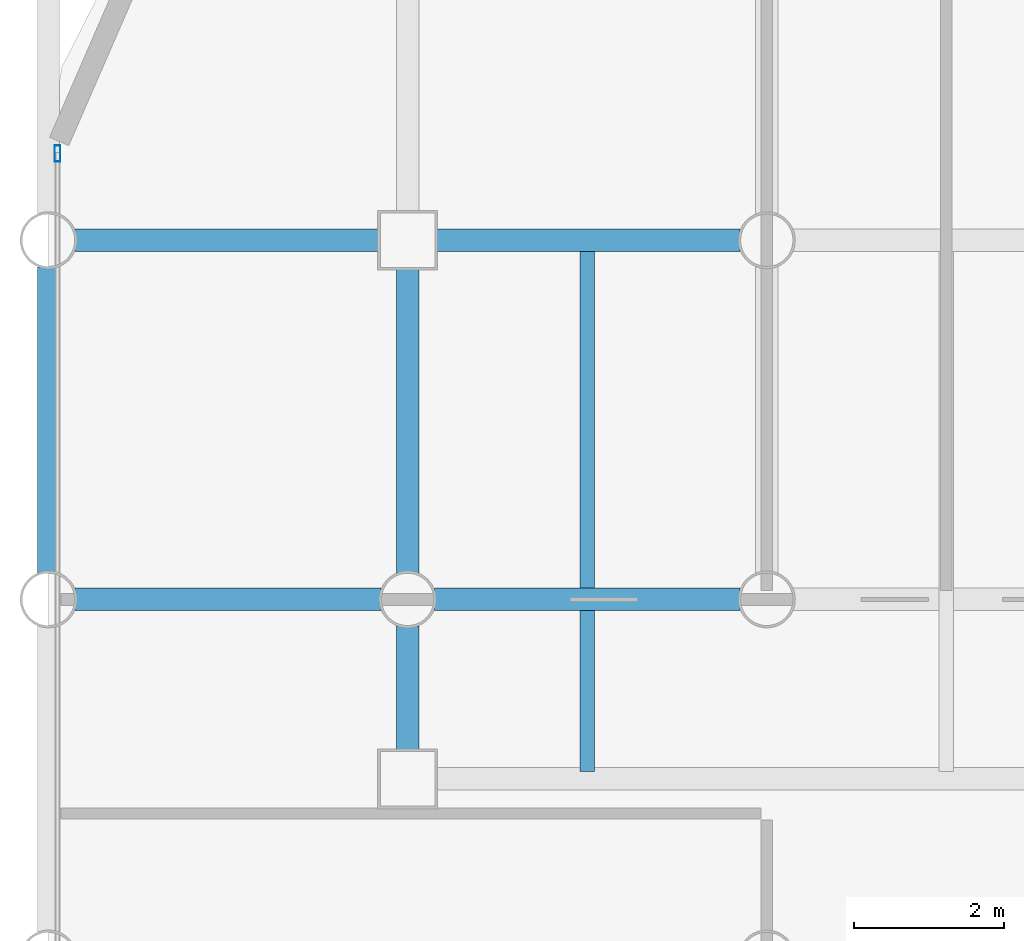
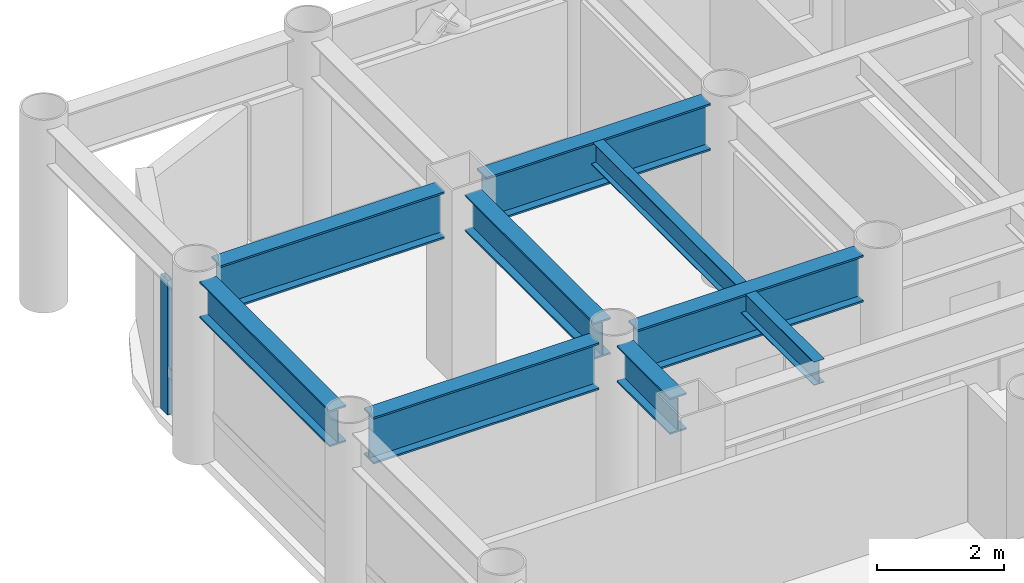
# One storey, part 9 of 19: 8 beams, 1 member, 1 element without a shape of its own.
"""IFC4 building model written with IfcOpenShell, lengths in metres."""

from ifc_helpers import new_model, si_unit, direction, frame, origin, origin_2d, place, context, subcontext, project, spatial, hollow_rectangle, i_section, extrude, material, layer, layer_set, material_profile, profile_set, type_object, element, aggregate, save


model = new_model("IFC4")

# Units and contexts
model_context = context("Model", 3, precision=1e-05, world=origin(), true_north=direction((0.0, 1.0)))
body_context = subcontext(model_context, "Body", "Model", "MODEL_VIEW")
ifc_project = project(units=[si_unit("LENGTHUNIT", "METRE"), si_unit("AREAUNIT", "SQUARE_METRE"), si_unit("VOLUMEUNIT", "CUBIC_METRE"), si_unit("PLANEANGLEUNIT", "RADIAN"), si_unit("MASSUNIT", "GRAM", prefix="KILO")], contexts=[model_context])

# Site, building, storey
site_placement = place(None, origin())
site = spatial("IfcSite", under=ifc_project, at=site_placement, CompositionType="ELEMENT")
building_placement = place(site_placement, origin())
building = spatial("IfcBuilding", under=site, at=building_placement, Name="Kallvorn Hotel Tower", CompositionType="ELEMENT")
storey_placement = place(building_placement, frame((0.0, 0.0, 63.300048828125)))
storey = spatial("IfcBuildingStorey", under=building, at=storey_placement, Name="L14", CompositionType="ELEMENT", Elevation=63.300048828125)

# Beams
ifc_material_1 = material(Name="Structural steel S355JR", Category="steel")
ifc_material_profile_1 = material_profile(ifc_material_1, i_section(OverallWidth=0.300048828125, OverallDepth=0.699951171875, WebThickness=0.01708984375, FlangeThickness=0.031982421875, at=origin_2d()), Name="HE 700 B")
ifc_profile_set_1 = profile_set([ifc_material_profile_1], Name="Structural steel S355JR")
beam_type_1 = type_object("IfcBeamType", Name="BM_HE700B", PredefinedType="BEAM", material=ifc_profile_set_1)
beam_1_placement = place(storey_placement, frame((-28.800048828125, 9.9560546875, 3.169921875), z_axis=(0.0, 1.0, 0.0), x_axis=(-1.0, 0.0, 0.0)))
element("IfcBeam", 1, at=beam_1_placement, inside=storey, type_object=beam_type_1, Name="L15 Primary Y-Girder 79", PredefinedType="BEAM", context=body_context, shape_type="SweptSolid", body=[
    extrude(i_section(OverallWidth=0.300048828125, OverallDepth=0.699951171875, WebThickness=0.01708984375, FlangeThickness=0.031982421875, at=origin_2d()), origin(), (0.0, 0.0, 1.0), 4.087890625),
])
beam_2_placement = place(storey_placement, frame((-24.0, 7.574951171875, 3.169921875), z_axis=(0.0, 1.0, 0.0), x_axis=(-1.0, 0.0, 0.0)))
element("IfcBeam", 2, at=beam_2_placement, inside=storey, type_object=beam_type_1, Name="L15 Primary Y-Girder 85", PredefinedType="BEAM", context=body_context, shape_type="SweptSolid", body=[
    extrude(i_section(OverallWidth=0.300048828125, OverallDepth=0.699951171875, WebThickness=0.01708984375, FlangeThickness=0.031982421875, at=origin_2d()), origin(), (0.0, 0.0, 1.0), 1.6689453125),
])
beam_3_placement = place(storey_placement, frame((-24.0, 9.9560546875, 3.169921875), z_axis=(0.0, 1.0, 0.0), x_axis=(-1.0, 0.0, 0.0)))
element("IfcBeam", 3, at=beam_3_placement, inside=storey, type_object=beam_type_1, Name="L15 Primary Y-Girder 86", PredefinedType="BEAM", context=body_context, shape_type="SweptSolid", body=[
    extrude(i_section(OverallWidth=0.300048828125, OverallDepth=0.699951171875, WebThickness=0.01708984375, FlangeThickness=0.031982421875, at=origin_2d()), origin(), (0.0, 0.0, 1.0), 4.06884765625),
])
ifc_material_2 = material(Name="Structural steel S355JR", Category="steel")
ifc_material_profile_2 = material_profile(ifc_material_2, i_section(OverallWidth=0.300048828125, OverallDepth=0.89990234375, WebThickness=0.0185546875, FlangeThickness=0.034912109375, at=origin_2d()), Name="HE 900 B")
ifc_profile_set_2 = profile_set([ifc_material_profile_2], Name="Structural steel S355JR")
beam_type_2 = type_object("IfcBeamType", Name="BM_HE900B", PredefinedType="BEAM", material=ifc_profile_set_2)
for number, where, z_axis, x_axis, name in (
    (4, (-28.444091796875, 9.60009765625, 3.070068359375), (1.0, 0.0, 0.0), (0.0, 1.0, 0.0), "L15 Primary X-Girder 42"),
    (5, (-23.64404296875, 9.60009765625, 3.070068359375), (1.0, 0.0, 0.0), (0.0, 1.0, 0.0), "L15 Primary X-Girder 43"),
):
    element("IfcBeam", number, at=place(storey_placement, frame(where, z_axis=z_axis, x_axis=x_axis)), inside=storey, type_object=beam_type_2, Name=name, PredefinedType="BEAM", context=body_context, shape_type="SweptSolid", body=[
        extrude(i_section(OverallWidth=0.300048828125, OverallDepth=0.89990234375, WebThickness=0.0185546875, FlangeThickness=0.034912109375, at=origin_2d()), origin(), (0.0, 0.0, 1.0), 4.088134765625),
    ])
for number, where, z_axis, x_axis, name in (
    (6, (-28.444091796875, 14.39990234375, 3.070068359375), (1.0, 0.0, 0.0), (0.0, 1.0, 0.0), "L15 Primary X-Girder 51"),
    (7, (-23.625, 14.39990234375, 3.070068359375), (1.0, 0.0, 0.0), (0.0, 1.0, 0.0), "L15 Primary X-Girder 52"),
):
    element("IfcBeam", number, at=place(storey_placement, frame(where, z_axis=z_axis, x_axis=x_axis)), inside=storey, type_object=beam_type_2, Name=name, PredefinedType="BEAM", context=body_context, shape_type="SweptSolid", body=[
        extrude(i_section(OverallWidth=0.300048828125, OverallDepth=0.89990234375, WebThickness=0.0185546875, FlangeThickness=0.034912109375, at=origin_2d()), origin(), (0.0, 0.0, 1.0), 4.069091796875),
    ])
ifc_material_3 = material(Name="Structural steel S355JR", Category="steel")
ifc_material_profile_3 = material_profile(ifc_material_3, i_section(OverallWidth=0.18994140625, OverallDepth=0.449951171875, WebThickness=0.009521484375, FlangeThickness=0.0146484375, at=origin_2d()), Name="IPE 450")
ifc_profile_set_3 = profile_set([ifc_material_profile_3], Name="Structural steel S355JR")
beam_type_3 = type_object("IfcBeamType", Name="BM_IPE450", PredefinedType="JOIST", material=ifc_profile_set_3)
beam_4_placement = place(storey_placement, frame((-21.60009765625, 7.300048828125, 3.294921875), z_axis=(0.0, 1.0, 0.0), x_axis=(-1.0, 0.0, 0.0)))
element("IfcBeam", 8, at=beam_4_placement, inside=storey, type_object=beam_type_3, Name="L15 Secondary Composite Joist 193", PredefinedType="JOIST", context=body_context, shape_type="SweptSolid", body=[
    extrude(i_section(OverallWidth=0.18994140625, OverallDepth=0.449951171875, WebThickness=0.009521484375, FlangeThickness=0.0146484375, at=origin_2d()), origin(), (0.0, 0.0, 1.0), 7.0),
])

# Curtain wall, member
ifc_material_4 = material(Name="Thermally broken black-anodised aluminium AA 6063-T6", Category="aluminium")
ifc_layer = layer(ifc_material_4, 0.199951171875)
ifc_layer_set = layer_set([ifc_layer], Name="CW_SYS_3_HOTEL_LOW")
curtain_wall_type = type_object("IfcCurtainWallType", Name="CW_SYS_3_HOTEL_LOW", PredefinedType="USERDEFINED", material=ifc_layer_set)
curtain_wall_placement = place(storey_placement, origin())
curtain_wall = element("IfcCurtainWall", 9, at=curtain_wall_placement, inside=storey, type_object=curtain_wall_type, Name="L14 Dark-Glass Curtain Wall CW-L14-WN", ObjectType="UNITISED CURTAIN WALL", PredefinedType="USERDEFINED")
ifc_material_5 = material(Name="Thermally broken black-anodised aluminium AA 6063-T6", Category="aluminium")
ifc_material_profile_4 = material_profile(ifc_material_5, hollow_rectangle(XDim=0.080078125, YDim=0.219970703125, WallThickness=0.0048828125, at=origin_2d()), Name="MUL 220x80")
ifc_profile_set_4 = profile_set([ifc_material_profile_4], Name="Thermally broken black-anodised aluminium AA 6063-T6")
member_type = type_object("IfcMemberType", Name="CW_MULLION_220x80", PredefinedType="MULLION", material=ifc_profile_set_4)
member_placement = place(storey_placement, frame((-28.679931640625, 15.56005859375, 0.02001953125), z_axis=(0.0, 0.0, 1.0), x_axis=(1.0, 0.0, 0.0)))
member = element("IfcMember", 10, at=member_placement, type_object=member_type, Name="CW-L14-WN Mullion 01", PredefinedType="MULLION", context=body_context, shape_type="SweptSolid", body=[
    extrude(hollow_rectangle(XDim=0.080078125, YDim=0.219970703125, WallThickness=0.0048828125, at=origin_2d()), origin(), (0.0, 0.0, 1.0), 2.579833984375),
])
aggregate(curtain_wall, [member])

save(model, "model.ifc")
